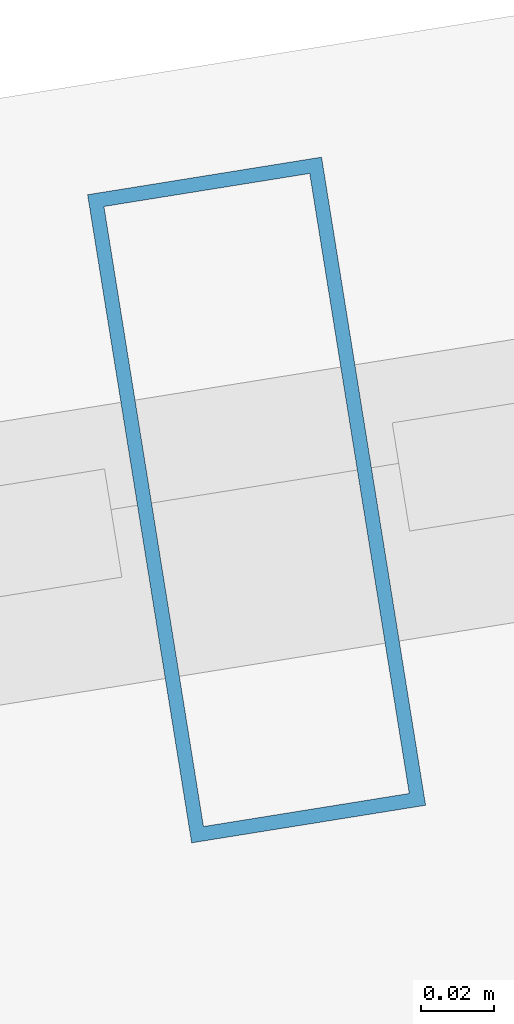
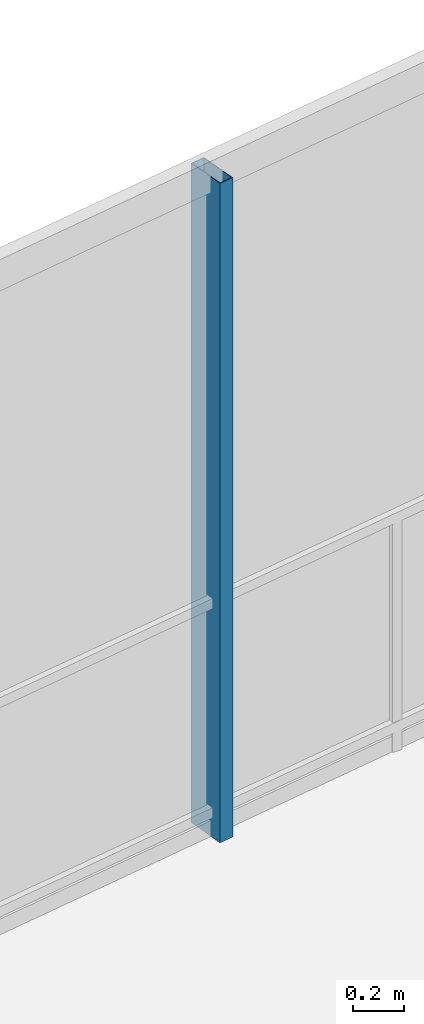
# One storey, part 18 of 27: 1 member, 1 element without a shape of its own.
"""IFC4 building model written with IfcOpenShell, lengths in metres."""

from ifc_helpers import new_model, si_unit, direction, frame, origin, origin_2d, place, context, subcontext, project, spatial, hollow_rectangle, extrude, material, layer, layer_set, material_profile, profile_set, type_object, element, aggregate, save


model = new_model("IFC4")

# Units and contexts
model_context = context("Model", 3, precision=1e-05, world=origin(), true_north=direction((0.0, 1.0)))
body_context = subcontext(model_context, "Body", "Model", "MODEL_VIEW")
ifc_project = project(units=[si_unit("LENGTHUNIT", "METRE"), si_unit("AREAUNIT", "SQUARE_METRE"), si_unit("VOLUMEUNIT", "CUBIC_METRE"), si_unit("PLANEANGLEUNIT", "RADIAN"), si_unit("MASSUNIT", "GRAM", prefix="KILO")], contexts=[model_context])

# Site, building, storey
site_placement = place(None, origin())
site = spatial("IfcSite", under=ifc_project, at=site_placement, CompositionType="ELEMENT")
building_placement = place(site_placement, origin())
building = spatial("IfcBuilding", under=site, at=building_placement, Name="Qarnah Convention Tower", CompositionType="ELEMENT")
storey_placement = place(building_placement, frame((0.0, 0.0, 100.5)))
storey = spatial("IfcBuildingStorey", under=building, at=storey_placement, Name="L26", CompositionType="ELEMENT", Elevation=100.5)

# Curtain wall, member
ifc_material_1 = material(Name="Tempered Low-E dark glass", Category="glass")
ifc_layer = layer(ifc_material_1, 0.169921875)
ifc_layer_set = layer_set([ifc_layer], Name="Tempered Low-E dark glass")
curtain_wall_type = type_object("IfcCurtainWallType", Name="CWS-02", PredefinedType="NOTDEFINED", material=ifc_layer_set)
curtain_wall_placement = place(storey_placement, origin())
curtain_wall = element("IfcCurtainWall", 1, at=curtain_wall_placement, inside=storey, type_object=curtain_wall_type, Name="L26 unitised curtain wall CW-L26-F3", PredefinedType="NOTDEFINED")
ifc_material_2 = material(Name="Black anodised aluminium", Category="aluminium")
ifc_material_profile = material_profile(ifc_material_2, hollow_rectangle(XDim=0.06494140625, YDim=0.179931640625, WallThickness=0.00390625, at=origin_2d()), Name="MUL-65X180")
ifc_profile_set = profile_set([ifc_material_profile], Name="Black anodised aluminium")
member_type = type_object("IfcMemberType", Name="MUL-T2", PredefinedType="MULLION", material=ifc_profile_set)
member_placement = place(storey_placement, frame((31.92236328125, 43.130859375, 0.0), z_axis=(0.0, 0.0, 1.0), x_axis=(0.987357200045, 0.158511070653, 0.0)))
member = element("IfcMember", 2, at=member_placement, type_object=member_type, Name="CW-L26-F3 mullion 3", PredefinedType="MULLION", context=body_context, shape_type="SweptSolid", body=[
    extrude(hollow_rectangle(XDim=0.06494140625, YDim=0.179931640625, WallThickness=0.00390625, at=origin_2d()), origin(), (0.0, 0.0, 1.0), 3.169921875),
])
aggregate(curtain_wall, [member])

save(model, "model.ifc")
